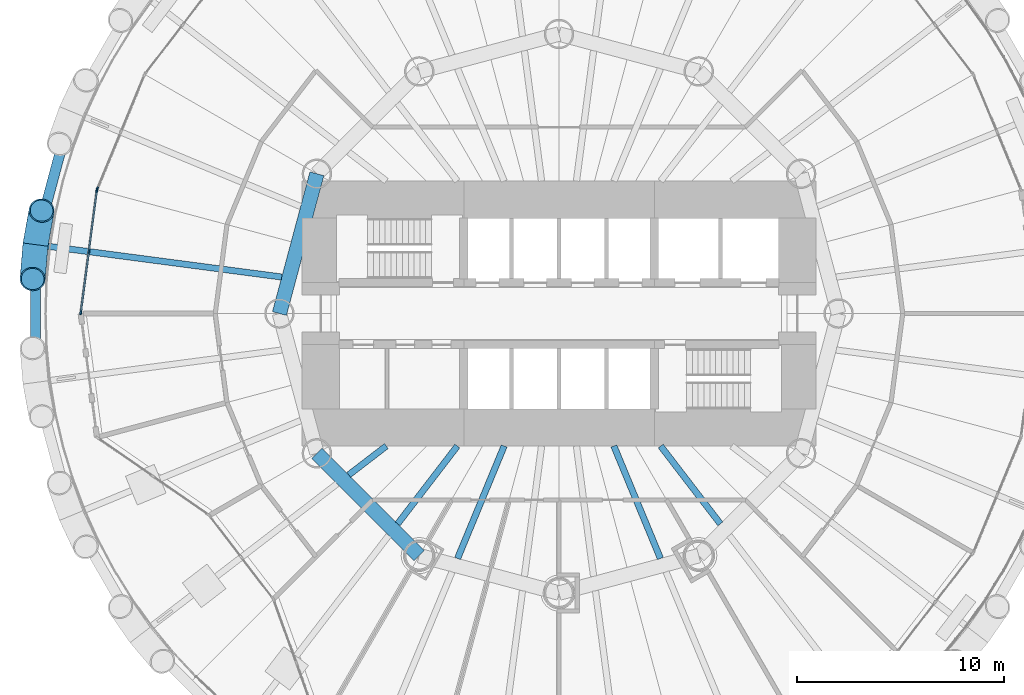
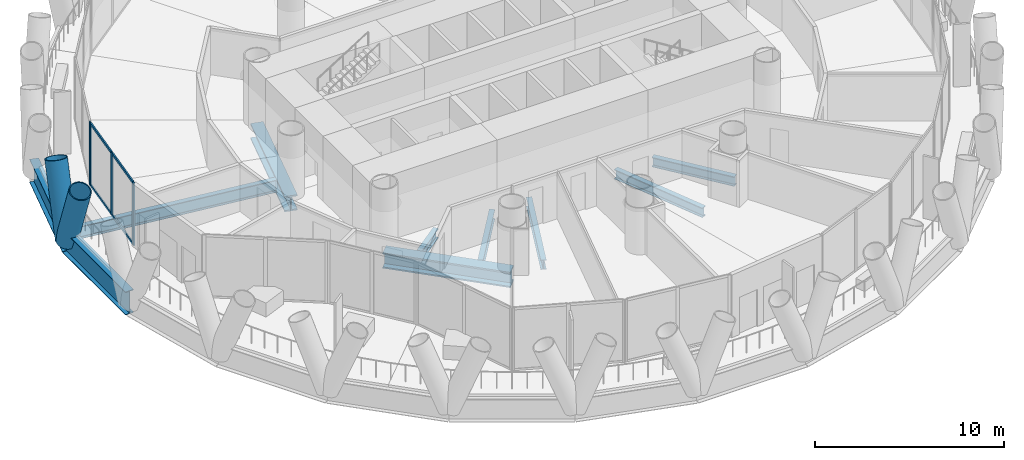
# One storey, part 3 of 14: 10 beams, 10 members, 2 elements without a shape of their own.
"""IFC4 building model written with IfcOpenShell, lengths in metres."""

import ifcopenshell
import ifcopenshell.guid

model = None  # the IFC model being written
_history = None  # IfcOwnerHistory: only IFC2X3 demands one
_inside = {}  # id of a spatial element -> (the spatial element, [elements in it])
_under = {}  # id of a project, library or spatial element -> (it, [spatial elements below it])
_declared = {}  # id of a project -> (the project, [libraries it declares])
_typed = {}  # id of a type object -> (the type object, [elements of that type])
_made_of = {}  # id of a material, layer set ... -> (it, [elements and type objects made of it])


def new_model(schema):
    """Start an empty IFC model of exactly this schema.

    Asked for "IFC4X3", IfcOpenShell would pick the latest addendum, in which some entities
    have other attributes; the version numbers below select the first issue.
    IFC2X3 requires an IfcOwnerHistory on every rooted entity: one is made here for all.
    """
    global model, _history
    if schema == "IFC4X3":
        model = ifcopenshell.file(schema_version=(4, 3, 0, 0))
    else:
        model = ifcopenshell.file(schema=schema)
    _inside.clear()
    _under.clear()
    _declared.clear()
    _typed.clear()
    _made_of.clear()
    _history = None
    if model.schema == "IFC2X3":
        org = make("IfcOrganization", Name="unknown")
        user = make(
            "IfcPersonAndOrganization",
            ThePerson=make("IfcPerson", FamilyName="unknown"),
            TheOrganization=org,
        )
        app = make(
            "IfcApplication",
            ApplicationDeveloper=org,
            Version="unknown",
            ApplicationFullName="unknown",
            ApplicationIdentifier="unknown",
        )
        _history = make(
            "IfcOwnerHistory",
            OwningUser=user,
            OwningApplication=app,
            ChangeAction="ADDED",
            CreationDate=0,
        )
    return model


def make(cls, **values):
    """One entity of the class cls with the attributes given. An attribute that is None is left unset."""
    return model.create_entity(
        cls, **{name: value for name, value in values.items() if value is not None}
    )


def rooted(cls, **values):
    """An entity with a GlobalId (a new one), such as an element, a storey or a relation."""
    return make(cls, GlobalId=ifcopenshell.guid.new(), OwnerHistory=_history, **values)


def si_unit(unit_type, name, prefix=None):
    """IfcSIUnit, for example si_unit("LENGTHUNIT", "METRE", prefix="MILLI")."""
    return make("IfcSIUnit", UnitType=unit_type, Prefix=prefix, Name=name)


def assignment(units):
    """IfcUnitAssignment: the units of a project."""
    return None if units is None else make("IfcUnitAssignment", Units=units)


def point(xyz):
    """IfcCartesianPoint."""
    return None if xyz is None else make("IfcCartesianPoint", Coordinates=xyz)


def direction(xyz):
    """IfcDirection."""
    return None if xyz is None else make("IfcDirection", DirectionRatios=xyz)


def frame(location, z_axis=None, x_axis=None):
    """IfcAxis2Placement3D, a coordinate frame: its origin and axes. An axis left out is left unset."""
    return make(
        "IfcAxis2Placement3D",
        Location=point(location),
        Axis=direction(z_axis),
        RefDirection=direction(x_axis),
    )


def frame_2d(location, x_axis=None):
    """IfcAxis2Placement2D, a coordinate frame in the plane: its origin and x axis."""
    return make(
        "IfcAxis2Placement2D", Location=point(location), RefDirection=direction(x_axis)
    )


def origin():
    """The frame at (0, 0, 0) with its axes left unset."""
    return frame((0.0, 0.0, 0.0))


def origin_2d():
    """The frame at (0, 0) in the plane with its x axis left unset."""
    return frame_2d((0.0, 0.0))


def place(relative_to, where):
    """IfcLocalPlacement: puts the frame where relative to a parent placement (None: the world)."""
    return make(
        "IfcLocalPlacement", PlacementRelTo=relative_to, RelativePlacement=where
    )


def context(
    kind, dimensions, precision=None, world=None, true_north=None, identifier=None
):
    """IfcGeometricRepresentationContext, for example the 3D "Model" context."""
    return make(
        "IfcGeometricRepresentationContext",
        ContextIdentifier=identifier,
        ContextType=kind,
        CoordinateSpaceDimension=dimensions,
        Precision=precision,
        WorldCoordinateSystem=world,
        TrueNorth=true_north,
    )


def subcontext(parent, identifier, kind, view, scale=None):
    """IfcGeometricRepresentationSubContext, for example "Body" below "Model"."""
    return make(
        "IfcGeometricRepresentationSubContext",
        ContextIdentifier=identifier,
        ContextType=kind,
        ParentContext=parent,
        TargetScale=scale,
        TargetView=view,
    )


def project(units=None, contexts=None):
    """IfcProject with its units and contexts."""
    return rooted(
        "IfcProject",
        Name="project",
        RepresentationContexts=contexts,
        UnitsInContext=assignment(units),
    )


def spatial(cls, under=None, at=None, **own):
    """A site, building, storey or space (cls), placed at a placement, below another one or the project."""
    s = rooted(cls, ObjectPlacement=at, **own)
    if under is not None:
        _under.setdefault(under.id(), (under, []))[1].append(s)
    return s


def profile(cls, at=None, kind="AREA", **sizes):
    """A parametric profile (cls). Its sizes go by their IFC names, for example OverallWidth=200.0."""
    return make(cls, ProfileType=kind, Position=at, **sizes)


def rectangle(**sizes):
    """IfcRectangleProfileDef."""
    return profile("IfcRectangleProfileDef", **sizes)


def hollow_circle(**sizes):
    """IfcCircleHollowProfileDef."""
    return profile("IfcCircleHollowProfileDef", **sizes)


def i_section(**sizes):
    """IfcIShapeProfileDef."""
    return profile("IfcIShapeProfileDef", **sizes)


def extrude(swept, where, along, depth):
    """IfcExtrudedAreaSolid: the profile swept, set in the frame where, extruded along a direction by depth."""
    return make(
        "IfcExtrudedAreaSolid",
        SweptArea=swept,
        Position=where,
        ExtrudedDirection=direction(along),
        Depth=depth,
    )


def shape(context_of_items, identifier, shape_type, items):
    """IfcShapeRepresentation: the items that make up one representation, for example the "Body"."""
    return make(
        "IfcShapeRepresentation",
        ContextOfItems=context_of_items,
        RepresentationIdentifier=identifier,
        RepresentationType=shape_type,
        Items=items,
    )


def material(Name=None, Category=None):
    """IfcMaterial."""
    return make("IfcMaterial", Name=Name, Category=Category)


def material_profile(
    of_material, cross_section, Name=None, Category=None, Priority=None
):
    """IfcMaterialProfile: a cross section and its material."""
    return make(
        "IfcMaterialProfile",
        Name=Name,
        Material=of_material,
        Profile=cross_section,
        Priority=Priority,
        Category=Category,
    )


def profile_set(profiles, Name=None, composite=None):
    """IfcMaterialProfileSet."""
    return make(
        "IfcMaterialProfileSet",
        Name=Name,
        MaterialProfiles=profiles,
        CompositeProfile=composite,
    )


def made_of(thing, what):
    """Note that an element or type object is made of a material, layer set ...; save() writes the relation."""
    if what is not None:
        _made_of.setdefault(what.id(), (what, []))[1].append(thing)
    return thing


def type_object(cls, material=None, **own):
    """A type object (cls), such as IfcWallType, which elements share."""
    return made_of(rooted(cls, **own), material)


def element(
    cls,
    number,
    at=None,
    inside=None,
    cuts=None,
    type_object=None,
    material=None,
    context=None,
    identifier="Body",
    shape_type=None,
    held_by="IfcProductDefinitionShape",
    body=None,
    shapes=None,
    **own,
):
    """One element of the class cls, such as IfcWall. Its Tag is "e" and its number.

    at: its placement. inside: the storey or other place that contains it. cuts: it is an
    opening in that element (IfcRelVoidsElement). A single representation is given by context,
    identifier, shape_type and body (its items); several are given by shapes. held_by: the class
    of the entity that holds the representations. save() writes the other relations.
    """
    e = rooted(cls, Tag="e%d" % number, ObjectPlacement=at, **own)
    if body is not None:
        shapes = [shape(context, identifier, shape_type, body)]
    if shapes is not None:
        e.Representation = make(held_by, Representations=shapes)
    if inside is not None:
        _inside.setdefault(inside.id(), (inside, []))[1].append(e)
    if cuts is not None:
        rooted(
            "IfcRelVoidsElement", RelatingBuildingElement=cuts, RelatedOpeningElement=e
        )
    if type_object is not None:
        _typed.setdefault(type_object.id(), (type_object, []))[1].append(e)
    return made_of(e, material)


def aggregate(whole, parts):
    """IfcRelAggregates: a whole, such as a stair, and the parts it consists of."""
    return rooted("IfcRelAggregates", RelatingObject=whole, RelatedObjects=parts)


def save(model, path):
    """Write the relations noted so far, then the file.

    IfcRelAggregates (storeys below a building ...), IfcRelContainedInSpatialStructure (elements
    in a storey), IfcRelDefinesByType, IfcRelAssociatesMaterial and IfcRelDeclares: one each for
    every whole, place, type object, material and project.
    """
    for whole, parts in _under.values():
        aggregate(whole, parts)
    for where, things in _inside.values():
        rooted(
            "IfcRelContainedInSpatialStructure",
            RelatedElements=things,
            RelatingStructure=where,
        )
    for kind, things in _typed.values():
        rooted("IfcRelDefinesByType", RelatedObjects=things, RelatingType=kind)
    for what, things in _made_of.values():
        rooted("IfcRelAssociatesMaterial", RelatedObjects=things, RelatingMaterial=what)
    for by, libraries in _declared.values():
        rooted("IfcRelDeclares", RelatingContext=by, RelatedDefinitions=libraries)
    model.write(path)


model = new_model("IFC4")

# Units and contexts
model_context = context("Model", 3, precision=1e-05, world=origin(), true_north=direction((0.0, 1.0)))
body_context = subcontext(model_context, "Body", "Model", "MODEL_VIEW")
ifc_project = project(units=[si_unit("LENGTHUNIT", "METRE"), si_unit("AREAUNIT", "SQUARE_METRE"), si_unit("VOLUMEUNIT", "CUBIC_METRE"), si_unit("PLANEANGLEUNIT", "RADIAN"), si_unit("MASSUNIT", "GRAM", prefix="KILO")], contexts=[model_context])

# Site, building, storey
site_placement = place(None, origin())
site = spatial("IfcSite", under=ifc_project, at=site_placement, CompositionType="ELEMENT")
building_placement = place(site_placement, origin())
building = spatial("IfcBuilding", under=site, at=building_placement, Name="Qaws Media Tower", CompositionType="ELEMENT")
storey_placement = place(building_placement, frame((0.0, 0.0, 84.800048828125)))
storey = spatial("IfcBuildingStorey", under=building, at=storey_placement, Name="L18", CompositionType="ELEMENT", Elevation=84.800048828125)

# Curtain wall, member
ifc_material_1 = material(Name="Aluminium and clear glass", Category="aluminium")
curtain_wall_type = type_object("IfcCurtainWallType", Name="Unitised curtain wall CW-A", PredefinedType="NOTDEFINED", material=ifc_material_1)
curtain_wall_1_placement = place(storey_placement, origin())
curtain_wall_1 = element("IfcCurtainWall", 1, at=curtain_wall_1_placement, inside=storey, type_object=curtain_wall_type, Name="CWA curtain wall L18-11", PredefinedType="NOTDEFINED")
ifc_material_2 = material(Name="Aluminium mullion", Category="aluminium")
ifc_material_profile_1 = material_profile(ifc_material_2, rectangle(XDim=0.080078125, YDim=0.199951171875, at=origin_2d()), Name="80x200")
ifc_profile_set_1 = profile_set([ifc_material_profile_1], Name="Aluminium mullion")
member_type_1 = type_object("IfcMemberType", Name="Curtain wall mullion 80x200", PredefinedType="MULLION", material=ifc_profile_set_1)
member_1_placement = place(storey_placement, frame((37.702392578125, 56.015625, 0.0), z_axis=(0.0, 0.0, 1.0), x_axis=(0.923879517022, -0.382683469758, 0.0)))
member_1 = element("IfcMember", 2, at=member_1_placement, type_object=member_type_1, Name="CWA mullion 3", PredefinedType="MULLION", context=body_context, shape_type="SweptSolid", body=[
    extrude(rectangle(XDim=0.080078125, YDim=0.199951171875, at=origin_2d()), origin(), (0.0, 0.0, 1.0), 4.0400390625),
])
aggregate(curtain_wall_1, [member_1])

# Curtain wall, members
curtain_wall_2_placement = place(storey_placement, origin())
curtain_wall_2 = element("IfcCurtainWall", 3, at=curtain_wall_2_placement, inside=storey, type_object=curtain_wall_type, Name="CWA curtain wall L18-12", PredefinedType="NOTDEFINED")
member_2_placement = place(storey_placement, frame((37.681884765625, 55.93896484375, 0.0), z_axis=(0.0, 0.0, 1.0), x_axis=(0.991444870395, -0.130526123696, 0.0)))
member_2 = element("IfcMember", 4, at=member_2_placement, type_object=member_type_1, Name="CWA mullion 1", PredefinedType="MULLION", context=body_context, shape_type="SweptSolid", body=[
    extrude(rectangle(XDim=0.080078125, YDim=0.199951171875, at=origin_2d()), origin(), (0.0, 0.0, 1.0), 4.0400390625),
])
member_3_placement = place(storey_placement, frame((37.29345703125, 52.9892578125, 0.0), z_axis=(0.0, 0.0, 1.0), x_axis=(0.991444870395, -0.130526123696, 0.0)))
member_3 = element("IfcMember", 5, at=member_3_placement, type_object=member_type_1, Name="CWA mullion 2", PredefinedType="MULLION", context=body_context, shape_type="SweptSolid", body=[
    extrude(rectangle(XDim=0.080078125, YDim=0.199951171875, at=origin_2d()), origin(), (0.0, 0.0, 1.0), 4.0400390625),
])
member_4_placement = place(storey_placement, frame((36.9052734375, 50.03955078125, 0.0), z_axis=(0.0, 0.0, 1.0), x_axis=(0.991444870395, -0.130526123696, 0.0)))
member_4 = element("IfcMember", 6, at=member_4_placement, type_object=member_type_1, Name="CWA mullion 3", PredefinedType="MULLION", context=body_context, shape_type="SweptSolid", body=[
    extrude(rectangle(XDim=0.080078125, YDim=0.199951171875, at=origin_2d()), origin(), (0.0, 0.0, 1.0), 4.0400390625),
])
ifc_material_3 = material(Name="Aluminium transom", Category="aluminium")
ifc_material_profile_2 = material_profile(ifc_material_3, rectangle(XDim=0.080078125, YDim=0.159912109375, at=origin_2d()), Name="80x160")
ifc_profile_set_2 = profile_set([ifc_material_profile_2], Name="Aluminium transom")
member_type_2 = type_object("IfcMemberType", Name="Curtain wall transom 80x160", PredefinedType="USERDEFINED", material=ifc_profile_set_2)
member_5_placement = place(storey_placement, frame((37.6767578125, 55.8994140625, 0.0400390625), z_axis=(-0.130539586254, -0.991443097924, 0.0), x_axis=(0.991443097924, -0.130539586254, 0.0)))
member_5 = element("IfcMember", 7, at=member_5_placement, type_object=member_type_2, Name="CWA transom 1.1", ObjectType="TRANSOM", PredefinedType="USERDEFINED", context=body_context, shape_type="SweptSolid", body=[
    extrude(rectangle(XDim=0.080078125, YDim=0.159912109375, at=origin_2d()), origin(), (0.0, 0.0, 1.0), 2.89501953125),
])
member_6_placement = place(storey_placement, frame((37.6767578125, 55.8994140625, 4.0), z_axis=(-0.130539586254, -0.991443097924, 0.0), x_axis=(0.991443097924, -0.130539586254, 0.0)))
member_6 = element("IfcMember", 8, at=member_6_placement, type_object=member_type_2, Name="CWA transom 1.2", ObjectType="TRANSOM", PredefinedType="USERDEFINED", context=body_context, shape_type="SweptSolid", body=[
    extrude(rectangle(XDim=0.080078125, YDim=0.159912109375, at=origin_2d()), origin(), (0.0, 0.0, 1.0), 2.89501953125),
])
member_7_placement = place(storey_placement, frame((37.288330078125, 52.94970703125, 0.0400390625), z_axis=(-0.130539586254, -0.991443097924, 0.0), x_axis=(0.991443097924, -0.130539586254, 0.0)))
member_7 = element("IfcMember", 9, at=member_7_placement, type_object=member_type_2, Name="CWA transom 2.1", ObjectType="TRANSOM", PredefinedType="USERDEFINED", context=body_context, shape_type="SweptSolid", body=[
    extrude(rectangle(XDim=0.080078125, YDim=0.159912109375, at=origin_2d()), origin(), (0.0, 0.0, 1.0), 2.89501953125),
])
member_8_placement = place(storey_placement, frame((37.288330078125, 52.94970703125, 4.0), z_axis=(-0.130539586254, -0.991443097924, 0.0), x_axis=(0.991443097924, -0.130539586254, 0.0)))
member_8 = element("IfcMember", 10, at=member_8_placement, type_object=member_type_2, Name="CWA transom 2.2", ObjectType="TRANSOM", PredefinedType="USERDEFINED", context=body_context, shape_type="SweptSolid", body=[
    extrude(rectangle(XDim=0.080078125, YDim=0.159912109375, at=origin_2d()), origin(), (0.0, 0.0, 1.0), 2.89501953125),
])
aggregate(curtain_wall_2, [member_2, member_3, member_4, member_5, member_6, member_7, member_8])

# Members
ifc_material_4 = material(Name="Steel S460", Category="steel")
ifc_material_profile_3 = material_profile(ifc_material_4, hollow_circle(Radius=0.609619140625, WallThickness=0.06005859375, at=origin_2d()), Name="CHS 1219x60")
ifc_profile_set_3 = profile_set([ifc_material_profile_3], Name="Steel S460")
member_type_3 = type_object("IfcMemberType", Name="Diagrid member CHS 1219x60", PredefinedType="USERDEFINED", material=ifc_profile_set_3)
for number, where, z_axis, x_axis, name in (
    (11, (34.71826171875, 53.328369140625, -0.91015625), (-0.030684816852, -0.367785621701, 0.929404206191), (0.996537677535, -0.083142391428, 0.0), "DG1 diagrid L18 A12"),
    (12, (34.71826171875, 53.328369140625, -0.91015625), (0.065528218319, 0.363241335512, 0.92938785487), (-0.984114863036, 0.17753291625, 0.0), "DG1 diagrid L18 B12"),
):
    element("IfcMember", number, at=place(storey_placement, frame(where, z_axis=z_axis, x_axis=x_axis)), inside=storey, type_object=member_type_3, Name=name, ObjectType="DIAGRID", PredefinedType="USERDEFINED", context=body_context, shape_type="SweptSolid", body=[
        extrude(hollow_circle(Radius=0.609619140625, WallThickness=0.06005859375, at=origin_2d()), origin(), (0.0, 0.0, 1.0), 4.519287109375),
    ])

# Beams
ifc_material_5 = material(Name="Steel S460", Category="steel")
ifc_material_profile_4 = material_profile(ifc_material_5, i_section(OverallWidth=0.5, OverallDepth=1.5, WebThickness=0.02001953125, FlangeThickness=0.0400390625, at=origin_2d()), Name="PG 1500x500")
ifc_profile_set_4 = profile_set([ifc_material_profile_4], Name="Steel S460")
beam_type_1 = type_object("IfcBeamType", Name="Edge ring beam PG 1500x500", PredefinedType="BEAM", material=ifc_profile_set_4)
beam_1_placement = place(storey_placement, frame((36.441162109375, 59.758544921875, -0.91015625), z_axis=(-0.258810633371, -0.965928080166, 0.0), x_axis=(0.965928080166, -0.258810633371, 0.0)))
element("IfcBeam", 13, at=beam_1_placement, inside=storey, type_object=beam_type_1, Name="RB4 edge ring beam L18-11", PredefinedType="BEAM", context=body_context, shape_type="SweptSolid", body=[
    extrude(i_section(OverallWidth=0.5, OverallDepth=1.5, WebThickness=0.02001953125, FlangeThickness=0.0400390625, at=origin_2d()), origin(), (0.0, 0.0, 1.0), 6.656982421875),
])
beam_2_placement = place(storey_placement, frame((34.71826171875, 53.328369140625, -0.91015625), z_axis=(0.0, -1.0, 0.0), x_axis=(1.0, 0.0, 0.0)))
element("IfcBeam", 14, at=beam_2_placement, inside=storey, type_object=beam_type_1, Name="RB4 edge ring beam L18-12", PredefinedType="BEAM", context=body_context, shape_type="SweptSolid", body=[
    extrude(i_section(OverallWidth=0.5, OverallDepth=1.5, WebThickness=0.02001953125, FlangeThickness=0.0400390625, at=origin_2d()), origin(), (0.0, 0.0, 1.0), 6.65673828125),
])
ifc_material_6 = material(Name="Steel S460", Category="steel")
ifc_material_profile_5 = material_profile(ifc_material_6, i_section(OverallWidth=0.699951171875, OverallDepth=1.0, WebThickness=0.034912109375, FlangeThickness=0.090087890625, at=origin_2d()), Name="PG 1000x700")
ifc_profile_set_5 = profile_set([ifc_material_profile_5], Name="Steel S460")
beam_type_2 = type_object("IfcBeamType", Name="Inner ring girder PG 1000x700", PredefinedType="BEAM", material=ifc_profile_set_5)
beam_3_placement = place(storey_placement, frame((48.30859375, 56.75, -0.66015625), z_axis=(-0.258810593767, -0.965928090778, 0.0), x_axis=(0.965928090778, -0.258810593767, 0.0)))
element("IfcBeam", 15, at=beam_3_placement, inside=storey, type_object=beam_type_2, Name="B3 inner ring beam L18 I06-I07", PredefinedType="BEAM", context=body_context, shape_type="SweptSolid", body=[
    extrude(i_section(OverallWidth=0.699951171875, OverallDepth=1.0, WebThickness=0.034912109375, FlangeThickness=0.090087890625, at=origin_2d()), origin(), (0.0, 0.0, 1.0), 6.988037109375),
])
beam_4_placement = place(storey_placement, frame((48.30859375, 43.25, -0.66015625), z_axis=(0.707106781187, -0.707106781187, 0.0), x_axis=(0.707106781187, 0.707106781187, 0.0)))
element("IfcBeam", 16, at=beam_4_placement, inside=storey, type_object=beam_type_2, Name="B3 inner ring beam L18 I08-I09", PredefinedType="BEAM", context=body_context, shape_type="SweptSolid", body=[
    extrude(i_section(OverallWidth=0.699951171875, OverallDepth=1.0, WebThickness=0.034912109375, FlangeThickness=0.090087890625, at=origin_2d()), origin(), (0.0, 0.0, 1.0), 6.98828125),
])
ifc_material_7 = material(Name="Steel S355", Category="steel")
ifc_material_profile_6 = material_profile(ifc_material_7, i_section(OverallWidth=0.304931640625, OverallDepth=0.6201171875, WebThickness=0.02099609375, FlangeThickness=0.0400390625, FilletRadius=0.027099609375, at=origin_2d()), Name="HE 600 M")
ifc_profile_set_6 = profile_set([ifc_material_profile_6], Name="Steel S355")
beam_type_3 = type_object("IfcBeamType", Name="Radial beam HE 600 M, core side", PredefinedType="BEAM", material=ifc_profile_set_6)
beam_5_placement = place(storey_placement, frame((51.659423828125, 43.60009765625, -0.469970703125), z_axis=(-0.793365692245, -0.608745331291, 0.0), x_axis=(0.608745331291, -0.793365692245, 0.0)))
element("IfcBeam", 17, at=beam_5_placement, inside=storey, type_object=beam_type_3, Name="B2 radial beam L18 15", PredefinedType="BEAM", context=body_context, shape_type="SweptSolid", body=[
    extrude(i_section(OverallWidth=0.304931640625, OverallDepth=0.6201171875, WebThickness=0.02099609375, FlangeThickness=0.0400390625, FilletRadius=0.027099609375, at=origin_2d()), origin(), (0.0, 0.0, 1.0), 2.286376953125),
])
beam_6_placement = place(storey_placement, frame((55.089111328125, 43.60009765625, -0.469970703125), z_axis=(-0.608737993613, -0.793371322353, 0.0), x_axis=(0.793371322353, -0.608737993613, 0.0)))
element("IfcBeam", 18, at=beam_6_placement, inside=storey, type_object=beam_type_3, Name="B2 radial beam L18 16", PredefinedType="BEAM", context=body_context, shape_type="SweptSolid", body=[
    extrude(i_section(OverallWidth=0.304931640625, OverallDepth=0.6201171875, WebThickness=0.02099609375, FlangeThickness=0.0400390625, FilletRadius=0.027099609375, at=origin_2d()), origin(), (0.0, 0.0, 1.0), 4.732421875),
])
for number, where, z_axis, x_axis, name in (
    (19, (57.34912109375, 43.60009765625, -0.469970703125), (-0.382695718283, -0.923874443422, 0.0), (0.923874443422, -0.382695718283, 0.0), "B2 radial beam L18 17"),
    (20, (62.65087890625, 43.60009765625, -0.469970703125), (0.382695718283, -0.923874443422, 0.0), (0.923874443422, 0.382695718283, 0.0), "B2 radial beam L18 20"),
):
    element("IfcBeam", number, at=place(storey_placement, frame(where, z_axis=z_axis, x_axis=x_axis)), inside=storey, type_object=beam_type_3, Name=name, PredefinedType="BEAM", context=body_context, shape_type="SweptSolid", body=[
        extrude(i_section(OverallWidth=0.304931640625, OverallDepth=0.6201171875, WebThickness=0.02099609375, FlangeThickness=0.0400390625, FilletRadius=0.027099609375, at=origin_2d()), origin(), (0.0, 0.0, 1.0), 5.872314453125),
    ])
beam_7_placement = place(storey_placement, frame((64.910888671875, 43.60009765625, -0.469970703125), z_axis=(0.608737993613, -0.793371322353, 0.0), x_axis=(0.793371322353, 0.608737993613, 0.0)))
element("IfcBeam", 21, at=beam_7_placement, inside=storey, type_object=beam_type_3, Name="B2 radial beam L18 21", PredefinedType="BEAM", context=body_context, shape_type="SweptSolid", body=[
    extrude(i_section(OverallWidth=0.304931640625, OverallDepth=0.6201171875, WebThickness=0.02099609375, FlangeThickness=0.0400390625, FilletRadius=0.027099609375, at=origin_2d()), origin(), (0.0, 0.0, 1.0), 4.732421875),
])
ifc_material_8 = material(Name="Steel S355", Category="steel")
ifc_material_profile_7 = material_profile(ifc_material_8, i_section(OverallWidth=0.300048828125, OverallDepth=0.800048828125, WebThickness=0.017578125, FlangeThickness=0.032958984375, FilletRadius=0.030029296875, at=origin_2d()), Name="HE 800 B")
ifc_profile_set_7 = profile_set([ifc_material_profile_7], Name="Steel S355")
beam_type_4 = type_object("IfcBeamType", Name="Radial beam HE 800 B", PredefinedType="BEAM", material=ifc_profile_set_7)
beam_8_placement = place(storey_placement, frame((46.610107421875, 51.762939453125, -0.56005859375), z_axis=(-0.991446603732, 0.130512957013, 0.0), x_axis=(-0.130512957013, -0.991446603732, 0.0)))
element("IfcBeam", 22, at=beam_8_placement, inside=storey, type_object=beam_type_4, Name="B1 radial beam L18 12", PredefinedType="BEAM", context=body_context, shape_type="SweptSolid", body=[
    extrude(i_section(OverallWidth=0.300048828125, OverallDepth=0.800048828125, WebThickness=0.017578125, FlangeThickness=0.032958984375, FilletRadius=0.030029296875, at=origin_2d()), origin(), (0.0, 0.0, 1.0), 11.994384765625),
])

save(model, "model.ifc")
